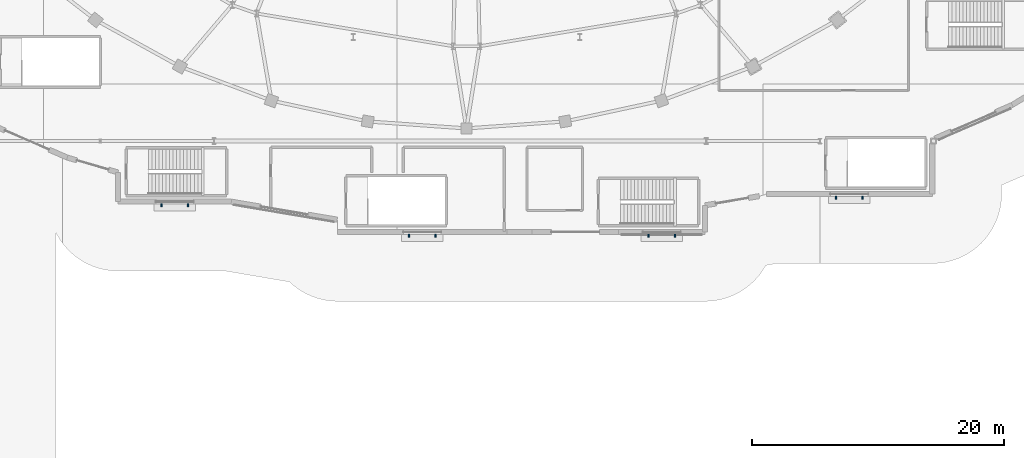
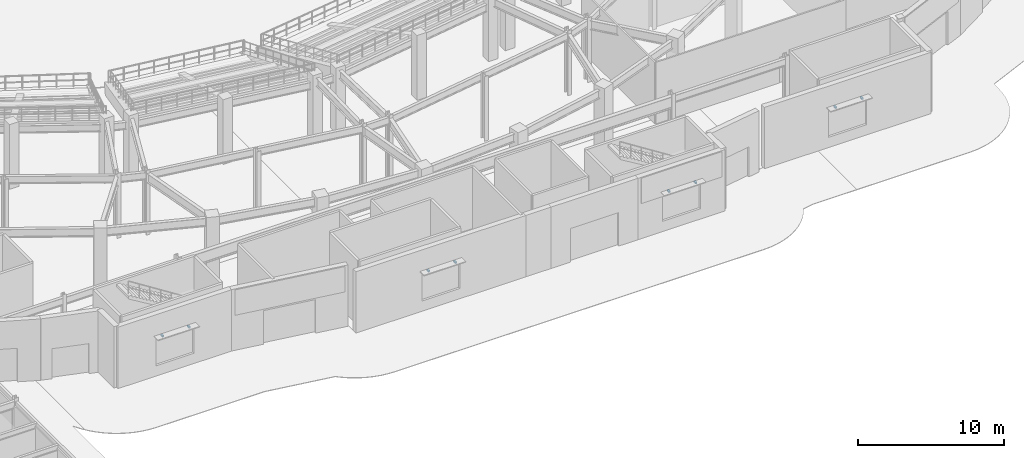
# One storey, part 63 of 79: 8 discrete accessories.
"""IFC4 building model written with IfcOpenShell, lengths in metres."""

from ifc_helpers import new_model, si_unit, direction, frame, origin, origin_2d, place, context, subcontext, project, spatial, rectangle, extrude, material, type_object, element, save


model = new_model("IFC4")

# Units and contexts
model_context = context("Model", 3, precision=1e-05, world=origin(), true_north=direction((0.0, 1.0)))
body_context = subcontext(model_context, "Body", "Model", "MODEL_VIEW")
ifc_project = project(units=[si_unit("LENGTHUNIT", "METRE"), si_unit("AREAUNIT", "SQUARE_METRE"), si_unit("VOLUMEUNIT", "CUBIC_METRE"), si_unit("PLANEANGLEUNIT", "RADIAN"), si_unit("MASSUNIT", "GRAM", prefix="KILO")], contexts=[model_context])

# Site, building, storey
site_placement = place(None, origin())
site = spatial("IfcSite", under=ifc_project, at=site_placement, CompositionType="ELEMENT")
building_placement = place(site_placement, origin())
building = spatial("IfcBuilding", under=site, at=building_placement, Name="Glasvene Arena", CompositionType="ELEMENT")
storey_placement = place(building_placement, origin())
storey = spatial("IfcBuildingStorey", under=building, at=storey_placement, Name="L00", CompositionType="ELEMENT", Elevation=0.0)

# Discrete accessories
ifc_material = material(Name="Warm bronze architectural aluminium", Category="aluminium")
discrete_accessory_type = type_object("IfcDiscreteAccessoryType", Name="ACC-FIN-BRK", PredefinedType="BRACKET", material=ifc_material)
for number, where, z_axis, x_axis, name in (
    (1, (123.37646484375, 22.5, 3.22021484375), (0.0, 0.0, 1.0), (-1.0, 0.0, 0.0), "Brise-soleil wall bracket BK-006"),
    (2, (121.2763671875, 22.5, 3.22021484375), (0.0, 0.0, 1.0), (-1.0, 0.0, 0.0), "Brise-soleil wall bracket BK-006"),
    (3, (108.52490234375, 19.5, 3.22021484375), (0.0, 0.0, 1.0), (-1.0, 0.0, 0.0), "Brise-soleil wall bracket BK-007"),
    (4, (106.425048828125, 19.5, 3.22021484375), (0.0, 0.0, 1.0), (-1.0, 0.0, 0.0), "Brise-soleil wall bracket BK-007"),
    (5, (89.550048828125, 19.5, 3.22021484375), (0.0, 0.0, 1.0), (-1.0, 0.0, 0.0), "Brise-soleil wall bracket BK-008"),
    (6, (87.449951171875, 19.5, 3.22021484375), (0.0, 0.0, 1.0), (-1.0, 0.0, 0.0), "Brise-soleil wall bracket BK-008"),
    (7, (69.939697265625, 21.89990234375, 3.22021484375), (0.0, 0.0, 1.0), (-1.0, 0.0, 0.0), "Brise-soleil wall bracket BK-009"),
    (8, (67.83984375, 21.89990234375, 3.22021484375), (0.0, 0.0, 1.0), (-1.0, 0.0, 0.0), "Brise-soleil wall bracket BK-009"),
):
    element("IfcDiscreteAccessory", number, at=place(storey_placement, frame(where, z_axis=z_axis, x_axis=x_axis)), inside=storey, type_object=discrete_accessory_type, Name=name, PredefinedType="BRACKET", context=body_context, shape_type="SweptSolid", body=[
        extrude(rectangle(XDim=0.139892578125, YDim=0.239990234375, at=origin_2d()), origin(), (0.0, 0.0, 1.0), 0.139892578125),
    ])

save(model, "model.ifc")
